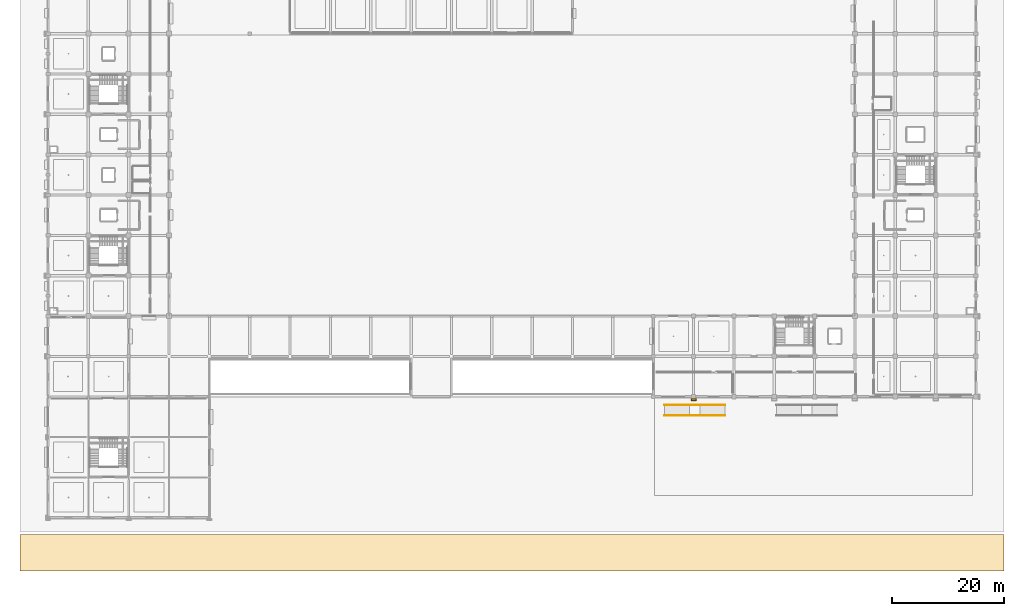
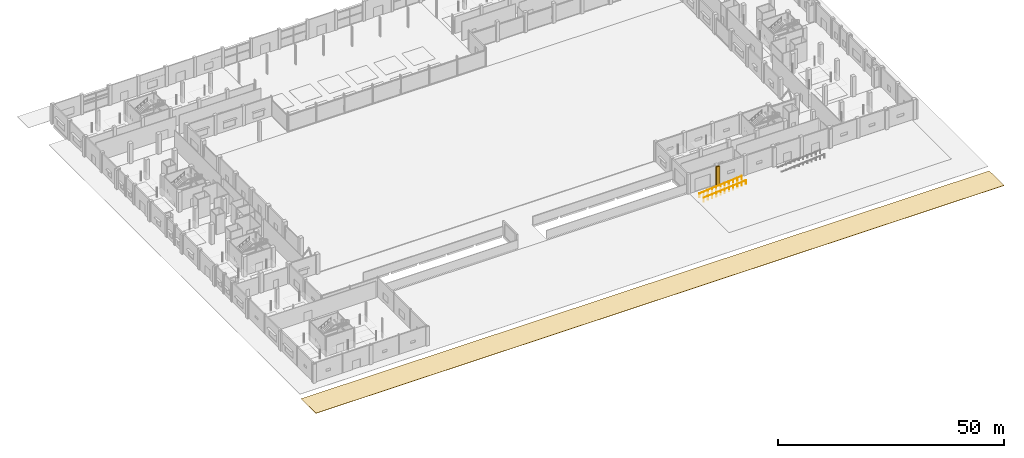
# One storey, part 84 of 90: 2 coverings, 2 railings.
"""IFC4 building model written with IfcOpenShell, lengths in metres."""

from ifc_helpers import new_model, si_unit, direction, frame, origin, origin_2d, place, context, subcontext, project, spatial, polyline, circle, outline, extrude, material, layer, layer_set, type_object, element, save


model = new_model("IFC4")

# Units and contexts
model_context = context("Model", 3, precision=1e-05, world=origin(), true_north=direction((0.0, 1.0)))
body_context = subcontext(model_context, "Body", "Model", "MODEL_VIEW")
ifc_project = project(units=[si_unit("LENGTHUNIT", "METRE"), si_unit("AREAUNIT", "SQUARE_METRE"), si_unit("VOLUMEUNIT", "CUBIC_METRE"), si_unit("PLANEANGLEUNIT", "RADIAN"), si_unit("MASSUNIT", "GRAM", prefix="KILO")], contexts=[model_context])

# Site, building, storey
site_placement = place(None, origin())
site = spatial("IfcSite", under=ifc_project, at=site_placement, CompositionType="ELEMENT")
building_placement = place(site_placement, origin())
building = spatial("IfcBuilding", under=site, at=building_placement, Name="Kangsadwip Square Police Headquarters", CompositionType="ELEMENT")
storey_placement = place(building_placement, origin())
storey = spatial("IfcBuildingStorey", under=building, at=storey_placement, Name="L00", CompositionType="ELEMENT", Elevation=0.0)

# Railings
ifc_material_1 = material(Name="Structural steel IS 2062 E250 (Grade 250, 250 MPa)", Category="steel")
railing_type = type_object("IfcRailingType", Name="BalustradeGuard1100", PredefinedType="BALUSTRADE", material=ifc_material_1)
for number, where, name in (
    (1, (110.0, 18.260009765625, -0.89990234375), "Accessible Ramp Guard AR-03-38"),
    (2, (110.0, 20.139892578125, -0.89990234375), "Accessible Ramp Guard AR-03-39"),
):
    element("IfcRailing", number, at=place(storey_placement, frame(where)), inside=storey, type_object=railing_type, Name=name, PredefinedType="BALUSTRADE", context=body_context, shape_type="SweptSolid", body=[
        extrude(circle(Radius=0.02392578125, at=origin_2d()), frame((0.0, 0.0, 1.09619140625), z_axis=(0.99654653501, 0.0, 0.083036158149), x_axis=(0.0, 1.0, 0.0)), (0.0, 0.0, 1.0), 10.83740234375),
        extrude(circle(Radius=0.02099609375, at=origin_2d()), origin(), (0.0, 0.0, 1.0), 1.072021484375),
        extrude(circle(Radius=0.02099609375, at=origin_2d()), frame((1.080078125, 0.0, 0.090087890625)), (0.0, 0.0, 1.0), 1.072021484375),
        extrude(circle(Radius=0.02099609375, at=origin_2d()), frame((2.159912109375, 0.0, 0.179931640625)), (0.0, 0.0, 1.0), 1.072021484375),
        extrude(circle(Radius=0.02099609375, at=origin_2d()), frame((3.239990234375, 0.0, 0.27001953125)), (0.0, 0.0, 1.0), 1.072021484375),
        extrude(circle(Radius=0.02099609375, at=origin_2d()), frame((4.320068359375, 0.0, 0.35986328125)), (0.0, 0.0, 1.0), 1.072021484375),
        extrude(circle(Radius=0.02099609375, at=origin_2d()), frame((5.39990234375, 0.0, 0.449951171875)), (0.0, 0.0, 1.0), 1.072021484375),
        extrude(circle(Radius=0.02099609375, at=origin_2d()), frame((6.47998046875, 0.0, 0.5400390625)), (0.0, 0.0, 1.0), 1.072021484375),
        extrude(circle(Radius=0.02099609375, at=origin_2d()), frame((7.56005859375, 0.0, 0.6298828125)), (0.0, 0.0, 1.0), 1.072021484375),
        extrude(circle(Radius=0.02099609375, at=origin_2d()), frame((8.64013671875, 0.0, 0.719970703125)), (0.0, 0.0, 1.0), 1.072021484375),
        extrude(circle(Radius=0.02099609375, at=origin_2d()), frame((9.719970703125, 0.0, 0.809814453125)), (0.0, 0.0, 1.0), 1.072021484375),
        extrude(circle(Radius=0.02099609375, at=origin_2d()), frame((10.800048828125, 0.0, 0.89990234375)), (0.0, 0.0, 1.0), 1.072021484375),
    ])

# Coverings
ifc_material_2 = material(Name="Flamed Indian granite stone exterior paving", Category="masonry")
ifc_layer_1 = layer(ifc_material_2, 0.080078125)
ifc_layer_set_1 = layer_set([ifc_layer_1], Name="Flamed Indian granite stone exterior paving")
covering_type_1 = type_object("IfcCoveringType", Name="GranitePrecinctPaving", PredefinedType="USERDEFINED", material=ifc_layer_set_1)
covering_1_placement = place(storey_placement, frame((0.0, 0.0, -0.97998046875)))
element("IfcCovering", 3, at=covering_1_placement, inside=storey, type_object=covering_type_1, Name="South Fleet Arrival Drive Apron", ObjectType="PAVING", PredefinedType="USERDEFINED", context=body_context, shape_type="SweptSolid", body=[
    extrude(outline(polyline([(-5.0, -9.5), (170.60009765625, -9.5), (170.60009765625, -3.0), (-5.0, -3.0), (-5.0, -9.5)])), origin(), (0.0, 0.0, 1.0), 0.080078125),
])
ifc_material_3 = material(Name="Glazed architectural terracotta masonry rainscreen", Category="masonry")
ifc_layer_2 = layer(ifc_material_3, 0.034912109375)
ifc_layer_set_2 = layer_set([ifc_layer_2], Name="Glazed architectural terracotta masonry rainscreen")
covering_type_2 = type_object("IfcCoveringType", Name="TerracottaPierCladding", PredefinedType="CLADDING", material=ifc_layer_set_2)
covering_2_placement = place(storey_placement, origin())
element("IfcCovering", 4, at=covering_2_placement, inside=storey, type_object=covering_type_2, Name="Terracotta Pier Cladding L00-023", PredefinedType="CLADDING", context=body_context, shape_type="SweptSolid", body=[
    extrude(outline(polyline([(114.760009765625, 20.925048828125), (115.639892578125, 20.925048828125), (115.639892578125, 21.2451171875), (114.760009765625, 21.2451171875), (114.760009765625, 20.925048828125)])), origin(), (0.0, 0.0, 1.0), 5.14990234375),
])

save(model, "model.ifc")
